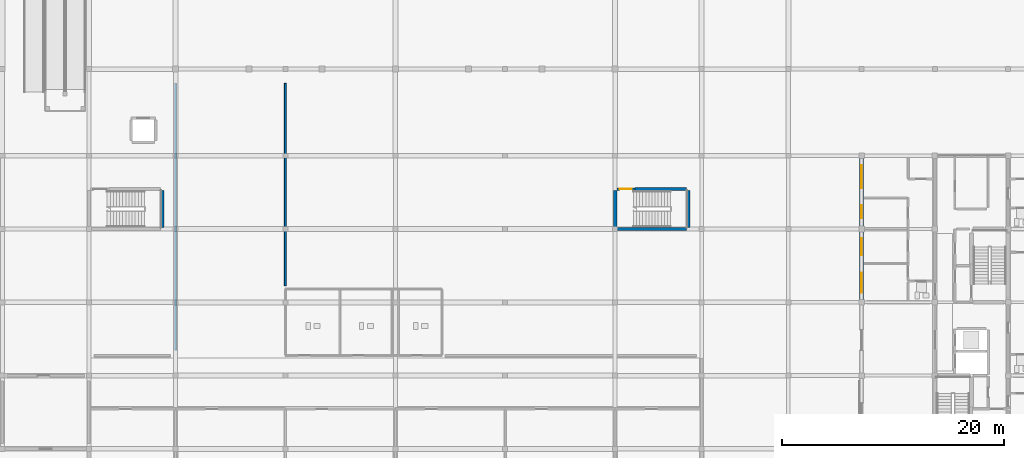
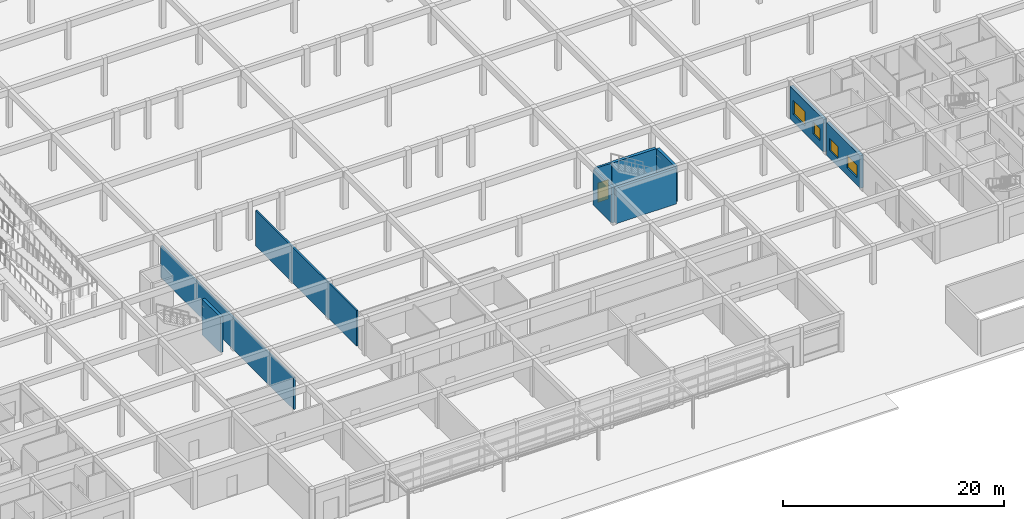
# One storey, part 53 of 75: 10 walls, 4 windows, 1 door, 5 openings.
"""IFC4 building model written with IfcOpenShell, lengths in metres."""

from ifc_helpers import new_model, si_unit, direction, frame, frame_2d, origin, place, context, subcontext, project, spatial, rectangle, extrude, material, layer, layer_set, type_object, element, fill, save


model = new_model("IFC4")

# Units and contexts
model_context = context("Model", 3, precision=1e-05, world=origin(), true_north=direction((0.0, 1.0)))
body_context = subcontext(model_context, "Body", "Model", "MODEL_VIEW")
ifc_project = project(units=[si_unit("LENGTHUNIT", "METRE"), si_unit("AREAUNIT", "SQUARE_METRE"), si_unit("VOLUMEUNIT", "CUBIC_METRE"), si_unit("PLANEANGLEUNIT", "RADIAN"), si_unit("MASSUNIT", "GRAM", prefix="KILO")], contexts=[model_context])

# Site, building, storey
site_placement = place(None, origin())
site = spatial("IfcSite", under=ifc_project, at=site_placement, CompositionType="ELEMENT")
building_placement = place(site_placement, origin())
building = spatial("IfcBuilding", under=site, at=building_placement, Name="Kernevlak Ridge Housing Community", CompositionType="ELEMENT")
storey_placement = place(building_placement, origin())
storey = spatial("IfcBuildingStorey", under=building, at=storey_placement, Name="L00", CompositionType="ELEMENT", Elevation=0.0)

# Wall, openings, windows
ifc_material_1 = material(Name="Concrete block masonry M10", Category="masonry")
ifc_layer_1 = layer(ifc_material_1, 0.340087890625, Name="Concrete block masonry M10")
ifc_layer_set_1 = layer_set([ifc_layer_1], Name="Concrete block masonry M10")
wall_type_1 = type_object("IfcWallType", Name="EW-04", PredefinedType="STANDARD", material=ifc_layer_set_1)
wall_1_placement = place(storey_placement, frame((126.0, 29.050048828125, 0.0), z_axis=(0.0, 0.0, 1.0), x_axis=(0.0, 1.0, 0.0)))
wall_1 = element("IfcWall", 1, at=wall_1_placement, inside=storey, type_object=wall_type_1, Name="Exterior wall EW-04 L00 536", PredefinedType="STANDARD", context=body_context, shape_type="SweptSolid", body=[
    extrude(rectangle(XDim=6.099853515625, YDim=0.340087890625, at=frame_2d((3.0498046875, 0.0))), origin(), (0.0, 0.0, 1.0), 3.60009765625),
])
opening_1_placement = place(wall_1_placement, frame((0.60009765625, 0.0, 0.85009765625)))
opening_1 = element("IfcOpeningElement", 2, at=opening_1_placement, cuts=wall_1, Name="Opening WT-03", PredefinedType="OPENING", context=body_context, shape_type="SweptSolid", body=[
    extrude(rectangle(XDim=1.800048828125, YDim=1.35009765625, at=frame_2d((0.89990234375, 0.675048828125))), frame((0.0, 0.179931640625, 0.0), z_axis=(0.0, -1.0, 0.0), x_axis=(1.0, 0.0, 0.0)), (0.0, 0.0, 1.0), 0.360107421875),
])
opening_2_placement = place(wall_1_placement, frame((4.0, 0.0, 0.85009765625)))
opening_2 = element("IfcOpeningElement", 3, at=opening_2_placement, cuts=wall_1, Name="Opening WT-02", PredefinedType="OPENING", context=body_context, shape_type="SweptSolid", body=[
    extrude(rectangle(XDim=1.5, YDim=1.35009765625, at=frame_2d((0.75, 0.675048828125))), frame((0.0, 0.179931640625, 0.0), z_axis=(0.0, -1.0, 0.0), x_axis=(1.0, 0.0, 0.0)), (0.0, 0.0, 1.0), 0.360107421875),
])
ifc_material_2 = material(Name="Aluminium EN AW-6060 anodised and laminated glass", Category="aluminium")
window_type_1 = type_object("IfcWindowType", Name="WT-02", PartitioningType="SINGLE_PANEL", PredefinedType="WINDOW", material=ifc_material_2)
window_1_placement = place(opening_2_placement, origin())
window_1 = element("IfcWindow", 4, at=window_1_placement, inside=storey, type_object=window_type_1, Name="Window WT-02 L00 416", OverallHeight=1.35009765625, OverallWidth=1.5, PartitioningType="SINGLE_PANEL", PredefinedType="WINDOW", context=body_context, shape_type="SweptSolid", body=[
    extrude(rectangle(XDim=1.5, YDim=1.35009765625, at=frame_2d((0.75, 0.675048828125))), frame((0.0, 0.030029296875, 0.0), z_axis=(0.0, -1.0, 0.0), x_axis=(1.0, 0.0, 0.0)), (0.0, 0.0, 1.0), 0.06005859375),
])
fill(opening_2, window_1)
window_type_2 = type_object("IfcWindowType", Name="WT-03", PartitioningType="SINGLE_PANEL", PredefinedType="WINDOW", material=ifc_material_2)
window_2_placement = place(opening_1_placement, origin())
window_2 = element("IfcWindow", 5, at=window_2_placement, inside=storey, type_object=window_type_2, Name="Window WT-03 L00 415", OverallHeight=1.35009765625, OverallWidth=1.800048828125, PartitioningType="SINGLE_PANEL", PredefinedType="WINDOW", context=body_context, shape_type="SweptSolid", body=[
    extrude(rectangle(XDim=1.800048828125, YDim=1.35009765625, at=frame_2d((0.89990234375, 0.675048828125))), frame((0.0, 0.030029296875, 0.0), z_axis=(0.0, -1.0, 0.0), x_axis=(1.0, 0.0, 0.0)), (0.0, 0.0, 1.0), 0.06005859375),
])
fill(opening_1, window_2)

wall_2_placement = place(storey_placement, frame((126.0, 35.64990234375, 0.0), z_axis=(0.0, 0.0, 1.0), x_axis=(0.0, 1.0, 0.0)))
wall_2 = element("IfcWall", 6, at=wall_2_placement, inside=storey, type_object=wall_type_1, Name="Exterior wall EW-04 L00 537", PredefinedType="STANDARD", context=body_context, shape_type="SweptSolid", body=[
    extrude(rectangle(XDim=6.10009765625, YDim=0.340087890625, at=frame_2d((3.050048828125, 0.0))), origin(), (0.0, 0.0, 1.0), 3.60009765625),
])
opening_3_placement = place(wall_2_placement, frame((0.699951171875, 0.0, 0.85009765625)))
opening_3 = element("IfcOpeningElement", 7, at=opening_3_placement, cuts=wall_2, Name="Opening WT-01", PredefinedType="OPENING", context=body_context, shape_type="SweptSolid", body=[
    extrude(rectangle(XDim=1.199951171875, YDim=1.35009765625, at=frame_2d((0.60009765625, 0.675048828125))), frame((0.0, 0.179931640625, 0.0), z_axis=(0.0, -1.0, 0.0), x_axis=(1.0, 0.0, 0.0)), (0.0, 0.0, 1.0), 0.360107421875),
])
opening_4_placement = place(wall_2_placement, frame((3.39990234375, 0.0, 0.85009765625)))
opening_4 = element("IfcOpeningElement", 8, at=opening_4_placement, cuts=wall_2, Name="Opening WT-05", PredefinedType="OPENING", context=body_context, shape_type="SweptSolid", body=[
    extrude(rectangle(XDim=2.10009765625, YDim=1.550048828125, at=frame_2d((1.050048828125, 0.77490234375))), frame((0.0, 0.179931640625, 0.0), z_axis=(0.0, -1.0, 0.0), x_axis=(1.0, 0.0, 0.0)), (0.0, 0.0, 1.0), 0.360107421875),
])
window_type_3 = type_object("IfcWindowType", Name="WT-01", PartitioningType="SINGLE_PANEL", PredefinedType="WINDOW", material=ifc_material_2)
window_3_placement = place(opening_3_placement, origin())
window_3 = element("IfcWindow", 9, at=window_3_placement, inside=storey, type_object=window_type_3, Name="Window WT-01 L00 417", OverallHeight=1.35009765625, OverallWidth=1.199951171875, PartitioningType="SINGLE_PANEL", PredefinedType="WINDOW", context=body_context, shape_type="SweptSolid", body=[
    extrude(rectangle(XDim=1.199951171875, YDim=1.35009765625, at=frame_2d((0.60009765625, 0.675048828125))), frame((0.0, 0.030029296875, 0.0), z_axis=(0.0, -1.0, 0.0), x_axis=(1.0, 0.0, 0.0)), (0.0, 0.0, 1.0), 0.06005859375),
])
fill(opening_3, window_3)
window_type_4 = type_object("IfcWindowType", Name="WT-05", PartitioningType="SINGLE_PANEL", PredefinedType="WINDOW", material=ifc_material_2)
window_4_placement = place(opening_4_placement, origin())
window_4 = element("IfcWindow", 10, at=window_4_placement, inside=storey, type_object=window_type_4, Name="Window WT-05 L00 418", OverallHeight=1.550048828125, OverallWidth=2.10009765625, PartitioningType="SINGLE_PANEL", PredefinedType="WINDOW", context=body_context, shape_type="SweptSolid", body=[
    extrude(rectangle(XDim=2.10009765625, YDim=1.550048828125, at=frame_2d((1.050048828125, 0.77490234375))), frame((0.0, 0.030029296875, 0.0), z_axis=(0.0, -1.0, 0.0), x_axis=(1.0, 0.0, 0.0)), (0.0, 0.0, 1.0), 0.06005859375),
])
fill(opening_4, window_4)

# Wall, opening, door
ifc_material_3 = material(Name="Concrete C35/45", Category="concrete")
ifc_layer_2 = layer(ifc_material_3, 0.22509765625, Name="Concrete C35/45")
ifc_layer_set_2 = layer_set([ifc_layer_2], Name="Concrete C35/45")
wall_type_2 = type_object("IfcWallType", Name="PW-01", PredefinedType="STANDARD", material=ifc_layer_set_2)
wall_3_placement = place(storey_placement, frame((103.949951171875, 39.0, 0.0), z_axis=(0.0, 0.0, 1.0), x_axis=(1.0, 0.0, 0.0)))
wall_3 = element("IfcWall", 11, at=wall_3_placement, inside=storey, type_object=wall_type_2, Name="Interior wall PW-01 WAL-INT-L00-3508", PredefinedType="STANDARD", context=body_context, shape_type="SweptSolid", body=[
    extrude(rectangle(XDim=1.650146484375, YDim=0.22509765625, at=frame_2d((0.8251953125, 0.0))), origin(), (0.0, 0.0, 1.0), 3.919921875),
])
opening_5_placement = place(wall_3_placement, frame((0.25, 0.0, 0.0)))
opening_5 = element("IfcOpeningElement", 12, at=opening_5_placement, cuts=wall_3, Name="Opening E781", PredefinedType="OPENING", context=body_context, shape_type="SweptSolid", body=[
    extrude(rectangle(XDim=1.10009765625, YDim=2.14990234375, at=frame_2d((0.550048828125, 1.074951171875))), frame((0.0, 0.12255859375, 0.0), z_axis=(0.0, -1.0, 0.0), x_axis=(1.0, 0.0, 0.0)), (0.0, 0.0, 1.0), 0.2451171875),
])
ifc_material_4 = material(Name="Fire-rated sheet steel leaf", Category="steel")
door_type = type_object("IfcDoorType", Name="DT-06", OperationType="NOTDEFINED", PredefinedType="DOOR", material=ifc_material_4)
door_placement = place(opening_5_placement, origin())
door = element("IfcDoor", 13, at=door_placement, inside=storey, type_object=door_type, Name="Podium stair ST-P2 fire door E781", OperationType="SINGLE_SWING_RIGHT", OverallHeight=2.14990234375, OverallWidth=1.10009765625, PredefinedType="DOOR", context=body_context, shape_type="SweptSolid", body=[
    extrude(rectangle(XDim=1.10009765625, YDim=2.14990234375, at=frame_2d((0.550048828125, 1.074951171875))), frame((0.0, 0.02490234375, 0.0), z_axis=(0.0, -1.0, 0.0), x_axis=(1.0, 0.0, 0.0)), (0.0, 0.0, 1.0), 0.050048828125),
])
fill(opening_5, door)

# Walls
ifc_layer_3 = layer(ifc_material_1, 0.175048828125, Name="Concrete block masonry M10")
ifc_layer_set_3 = layer_set([ifc_layer_3], Name="Concrete block masonry M10")
wall_type_3 = type_object("IfcWallType", Name="PW-02", PredefinedType="PARTITIONING", material=ifc_layer_set_3)
wall_4_placement = place(storey_placement, frame((64.199951171875, 24.47998046875, 0.0), z_axis=(0.0, 0.0, 1.0), x_axis=(0.0, 1.0, 0.0)))
element("IfcWall", 14, at=wall_4_placement, inside=storey, type_object=wall_type_3, Name="Interior wall PW-02 WAL-INT-L00-3560", PredefinedType="PARTITIONING", context=body_context, shape_type="SweptSolid", body=[
    extrude(rectangle(XDim=24.0400390625, YDim=0.175048828125, at=frame_2d((12.02001953125, 0.0))), origin(), (0.0, 0.0, 1.0), 3.5),
])
wall_5_placement = place(storey_placement, frame((74.10009765625, 30.280029296875, 0.0), z_axis=(0.0, 0.0, 1.0), x_axis=(0.0, 1.0, 0.0)))
element("IfcWall", 15, at=wall_5_placement, inside=storey, type_object=wall_type_3, Name="Interior wall PW-02 WAL-INT-L00-3561", PredefinedType="PARTITIONING", context=body_context, shape_type="SweptSolid", body=[
    extrude(rectangle(XDim=18.239990234375, YDim=0.175048828125, at=frame_2d((9.1201171875, 0.0))), origin(), (0.0, 0.0, 1.0), 3.919921875),
])
ifc_material_5 = material(Name="Concrete C40/50", Category="concrete")
ifc_layer_4 = layer(ifc_material_5, 0.300048828125, Name="Concrete C40/50")
ifc_layer_set_4 = layer_set([ifc_layer_4], Name="Concrete C40/50")
wall_type_4 = type_object("IfcWallType", Name="SW-02", PredefinedType="SHEAR", material=ifc_layer_set_4)
wall_6_placement = place(storey_placement, frame((63.0, 35.550048828125, 0.0), z_axis=(0.0, 0.0, 1.0), x_axis=(0.0, 1.0, 0.0)))
element("IfcWall", 16, at=wall_6_placement, inside=storey, type_object=wall_type_4, Name="Podium stair shear wall ST-P1 L00", PredefinedType="SHEAR", context=body_context, shape_type="SweptSolid", body=[
    extrude(rectangle(XDim=3.300048828125, YDim=0.300048828125, at=frame_2d((1.64990234375, 0.0))), origin(), (0.0, 0.0, 1.0), 3.919921875),
])
wall_7_placement = place(storey_placement, frame((103.949951171875, 35.39990234375, 0.0), z_axis=(0.0, 0.0, 1.0), x_axis=(1.0, 0.0, 0.0)))
element("IfcWall", 17, at=wall_7_placement, inside=storey, type_object=wall_type_4, Name="Podium stair shear wall ST-P2 L00", PredefinedType="SHEAR", context=body_context, shape_type="SweptSolid", body=[
    extrude(rectangle(XDim=6.300048828125, YDim=0.300048828125, at=frame_2d((3.14990234375, 0.0))), origin(), (0.0, 0.0, 1.0), 3.919921875),
])
wall_8_placement = place(storey_placement, frame((105.60009765625, 39.0, 0.0), z_axis=(0.0, 0.0, 1.0), x_axis=(1.0, 0.0, 0.0)))
element("IfcWall", 18, at=wall_8_placement, inside=storey, type_object=wall_type_4, Name="Podium stair shear wall ST-P2 L00", PredefinedType="SHEAR", context=body_context, shape_type="SweptSolid", body=[
    extrude(rectangle(XDim=4.64990234375, YDim=0.300048828125, at=frame_2d((2.324951171875, 0.0))), origin(), (0.0, 0.0, 1.0), 3.919921875),
])
for number, where, z_axis, x_axis, name in (
    (19, (103.800048828125, 35.550048828125, 0.0), (0.0, 0.0, 1.0), (0.0, 1.0, 0.0), "Podium stair shear wall ST-P2 L00"),
    (20, (110.39990234375, 35.550048828125, 0.0), (0.0, 0.0, 1.0), (0.0, 1.0, 0.0), "Podium stair shear wall ST-P2 L00"),
):
    element("IfcWall", number, at=place(storey_placement, frame(where, z_axis=z_axis, x_axis=x_axis)), inside=storey, type_object=wall_type_4, Name=name, PredefinedType="SHEAR", context=body_context, shape_type="SweptSolid", body=[
        extrude(rectangle(XDim=3.300048828125, YDim=0.300048828125, at=frame_2d((1.64990234375, 0.0))), origin(), (0.0, 0.0, 1.0), 3.919921875),
    ])

save(model, "model.ifc")
